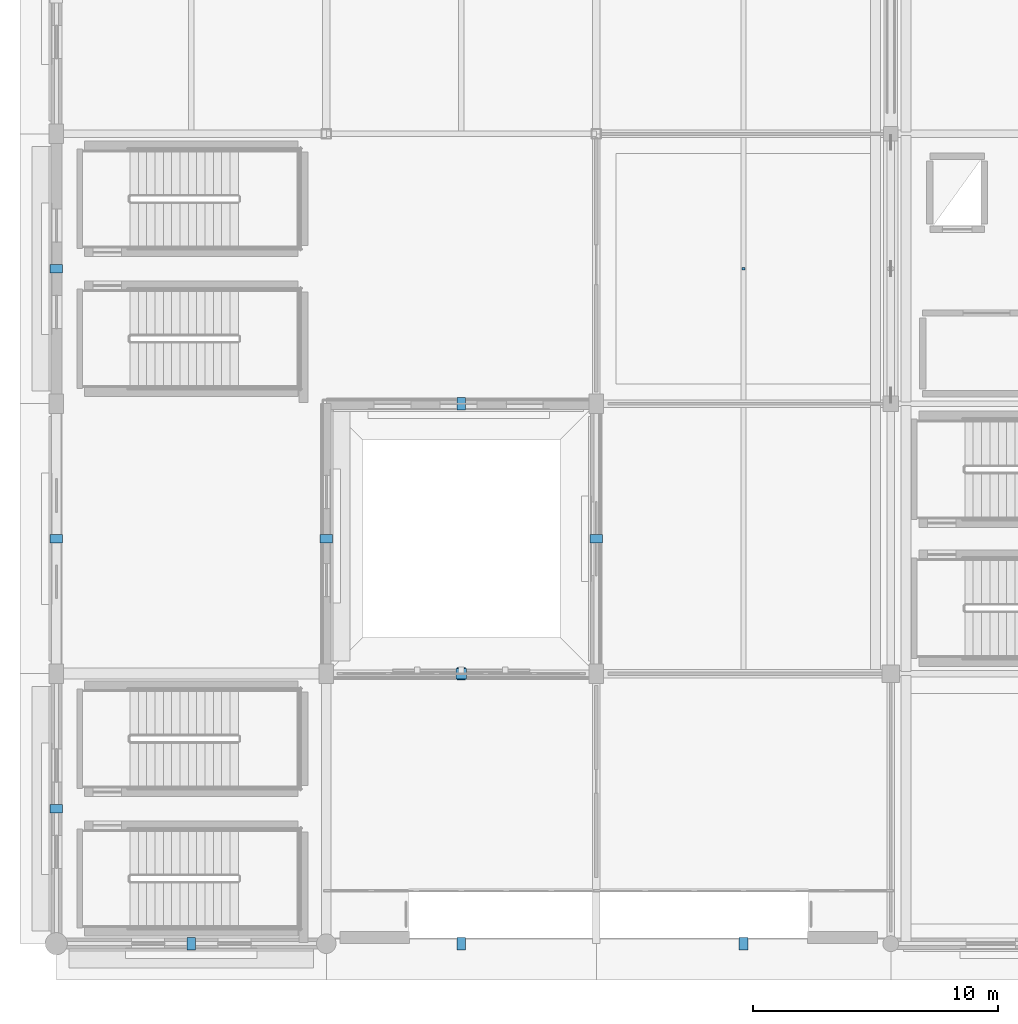
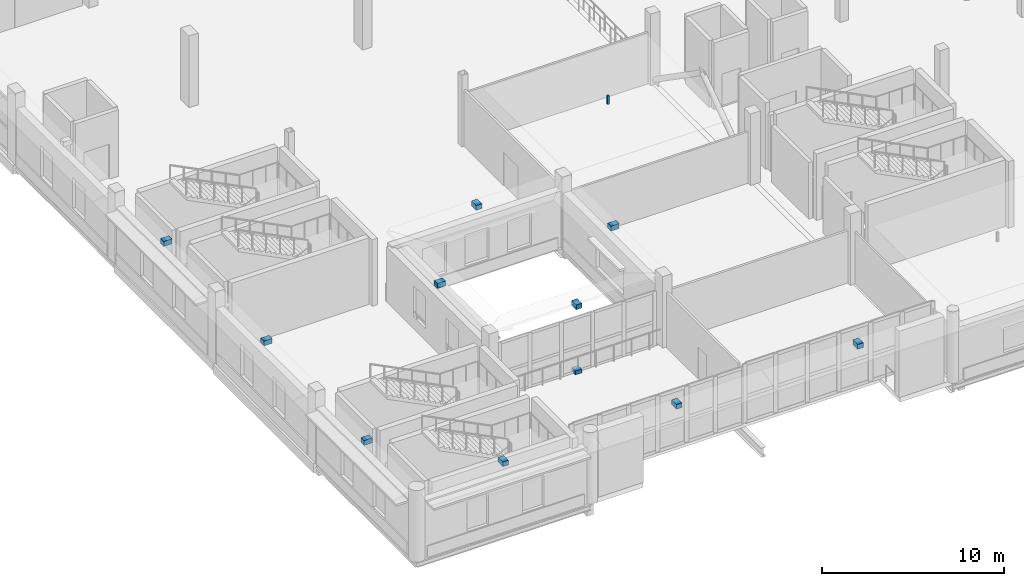
# One storey, part 104 of 143: 12 discrete accessories.
"""IFC4 building model written with IfcOpenShell, lengths in metres."""

from ifc_helpers import new_model, si_unit, direction, frame, origin, origin_2d, place, context, subcontext, project, spatial, rectangle, extrude, material, layer, layer_set, type_object, element, save


model = new_model("IFC4")

# Units and contexts
model_context = context("Model", 3, precision=1e-05, world=origin(), true_north=direction((0.0, 1.0)))
body_context = subcontext(model_context, "Body", "Model", "MODEL_VIEW")
ifc_project = project(units=[si_unit("LENGTHUNIT", "METRE"), si_unit("AREAUNIT", "SQUARE_METRE"), si_unit("VOLUMEUNIT", "CUBIC_METRE"), si_unit("PLANEANGLEUNIT", "RADIAN"), si_unit("MASSUNIT", "GRAM", prefix="KILO")], contexts=[model_context])

# Site, building, storey
site_placement = place(None, origin())
site = spatial("IfcSite", under=ifc_project, at=site_placement, CompositionType="ELEMENT")
building_placement = place(site_placement, origin())
building = spatial("IfcBuilding", under=site, at=building_placement, Name="Luwafu Chhajja Arena", CompositionType="ELEMENT")
storey_placement = place(building_placement, frame((0.0, 0.0, 5.39990234375)))
storey = spatial("IfcBuildingStorey", under=building, at=storey_placement, Name="L01", CompositionType="ELEMENT", Elevation=5.39990234375)

# Discrete accessories
ifc_material = material(Name="Stainless steel bracket", Category="steel")
ifc_layer = layer(ifc_material, 0.179931640625, Name="Stainless steel bracket")
ifc_layer_set = layer_set([ifc_layer], Name="Stainless steel bracket")
discrete_accessory_type = type_object("IfcDiscreteAccessoryType", Name="Stainless Steel Facade Support Bracket", PredefinedType="BRACKET", material=ifc_layer_set)
for number, where, z_axis, x_axis, name in (
    (1, (5.5, 0.0, 4.3798828125), (0.0, 0.0, 1.0), (1.0, 0.0, 0.0), "L01 Chhajja Eave Support Bracket 0121"),
    (2, (0.0, 5.5, 4.3798828125), (0.0, 0.0, 1.0), (0.0, 1.0, 0.0), "L01 Chhajja Eave Support Bracket 0122"),
    (3, (0.0, 16.5, 4.3798828125), (0.0, 0.0, 1.0), (0.0, 1.0, 0.0), "L01 Chhajja Eave Support Bracket 0123"),
    (4, (11.0, 16.5, 4.3798828125), (0.0, 0.0, 1.0), (0.0, 1.0, 0.0), "L01 Chhajja Eave Support Bracket 0124"),
    (5, (0.0, 27.5, 4.3798828125), (0.0, 0.0, 1.0), (0.0, 1.0, 0.0), "L01 Chhajja Eave Support Bracket 0125"),
    (6, (16.5, 0.0, 4.3798828125), (0.0, 0.0, 1.0), (1.0, 0.0, 0.0), "L01 Chhajja Eave Support Bracket 0141"),
    (7, (16.5, 11.0, 4.3798828125), (0.0, 0.0, 1.0), (1.0, 0.0, 0.0), "L01 Chhajja Eave Support Bracket 0142"),
):
    element("IfcDiscreteAccessory", number, at=place(storey_placement, frame(where, z_axis=z_axis, x_axis=x_axis)), inside=storey, type_object=discrete_accessory_type, Name=name, PredefinedType="BRACKET", context=body_context, shape_type="SweptSolid", body=[
        extrude(rectangle(XDim=0.360107421875, YDim=0.52001953125, at=origin_2d()), origin(), (0.0, 0.0, 1.0), 0.320068359375),
    ])
discrete_accessory_1_placement = place(storey_placement, frame((16.5, 11.0, -0.009765625), z_axis=(0.0, 0.0, 1.0), x_axis=(1.0, 0.0, 0.0)))
element("IfcDiscreteAccessory", 8, at=discrete_accessory_1_placement, inside=storey, type_object=discrete_accessory_type, Name="Jali Stainless Support Bracket 0143", PredefinedType="BRACKET", context=body_context, shape_type="SweptSolid", body=[
    extrude(rectangle(XDim=0.419921875, YDim=0.419921875, at=origin_2d()), origin(), (0.0, 0.0, 1.0), 0.260009765625),
])
for number, where, z_axis, x_axis, name in (
    (9, (16.5, 22.0, 4.3798828125), (0.0, 0.0, 1.0), (1.0, 0.0, 0.0), "L01 Chhajja Eave Support Bracket 0144"),
    (10, (28.0, 0.0, 4.3798828125), (0.0, 0.0, 1.0), (1.0, 0.0, 0.0), "L01 Chhajja Eave Support Bracket 0150"),
    (11, (22.0, 16.5, 4.3798828125), (0.0, 0.0, 1.0), (0.0, 1.0, 0.0), "L01 Chhajja Eave Support Bracket 0151"),
):
    element("IfcDiscreteAccessory", number, at=place(storey_placement, frame(where, z_axis=z_axis, x_axis=x_axis)), inside=storey, type_object=discrete_accessory_type, Name=name, PredefinedType="BRACKET", context=body_context, shape_type="SweptSolid", body=[
        extrude(rectangle(XDim=0.360107421875, YDim=0.52001953125, at=origin_2d()), origin(), (0.0, 0.0, 1.0), 0.320068359375),
    ])
discrete_accessory_2_placement = place(storey_placement, frame((28.0, 27.5, 3.93603515625), z_axis=(0.0, 0.0, 1.0), x_axis=(1.0, 0.0, 0.0)))
element("IfcDiscreteAccessory", 12, at=discrete_accessory_2_placement, inside=storey, type_object=discrete_accessory_type, Name="L01 Ceiling Suspension Hanger 026", PredefinedType="BRACKET", context=body_context, shape_type="SweptSolid", body=[
    extrude(rectangle(XDim=0.1201171875, YDim=0.1201171875, at=origin_2d()), origin(), (0.0, 0.0, 1.0), 0.573974609375),
])

save(model, "model.ifc")
